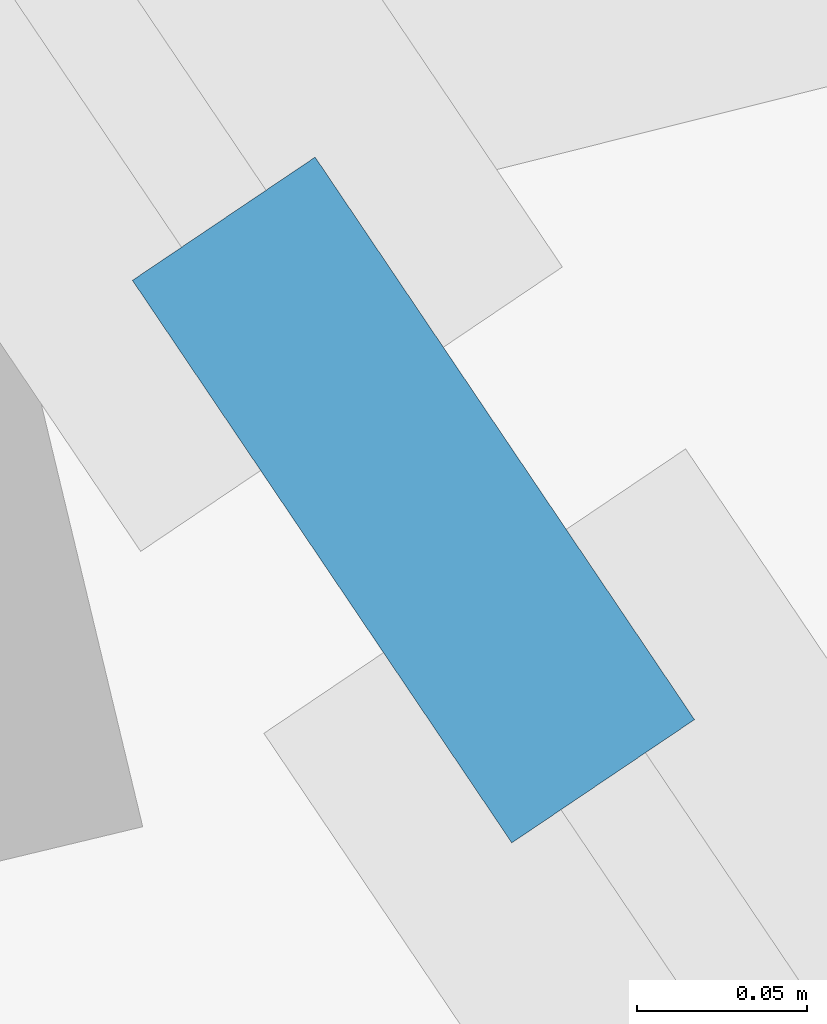
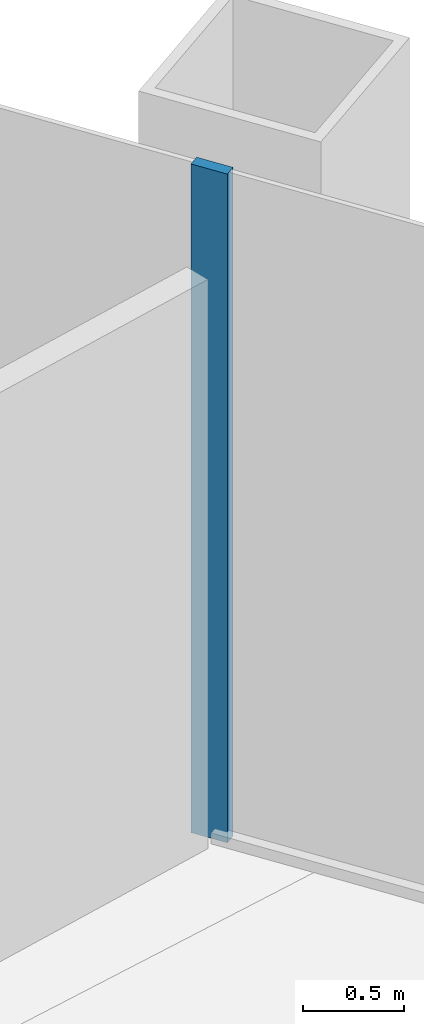
# One storey, part 5 of 13: 1 member, 1 element without a shape of its own.
"""IFC4 building model written with IfcOpenShell, lengths in metres."""

from ifc_helpers import new_model, si_unit, direction, frame, origin, origin_2d, place, context, subcontext, project, spatial, rectangle, extrude, material, material_profile, profile_set, type_object, element, aggregate, save


model = new_model("IFC4")

# Units and contexts
model_context = context("Model", 3, precision=1e-05, world=origin(), true_north=direction((0.0, 1.0)))
body_context = subcontext(model_context, "Body", "Model", "MODEL_VIEW")
ifc_project = project(units=[si_unit("LENGTHUNIT", "METRE"), si_unit("AREAUNIT", "SQUARE_METRE"), si_unit("VOLUMEUNIT", "CUBIC_METRE"), si_unit("PLANEANGLEUNIT", "RADIAN"), si_unit("MASSUNIT", "GRAM", prefix="KILO")], contexts=[model_context])

# Site, building, storey
site_placement = place(None, origin())
site = spatial("IfcSite", under=ifc_project, at=site_placement, CompositionType="ELEMENT")
building_placement = place(site_placement, origin())
building = spatial("IfcBuilding", under=site, at=building_placement, Name="Qingtian Harvest Tower", CompositionType="ELEMENT")
storey_placement = place(building_placement, frame((0.0, 0.0, 230.800048828125)))
storey = spatial("IfcBuildingStorey", under=building, at=storey_placement, Name="L50", CompositionType="ELEMENT", Elevation=230.800048828125)

# Curtain wall, member
ifc_material_1 = material(Name="Bronze-anodised aluminium curtain wall", Category="aluminium")
curtain_wall_type = type_object("IfcCurtainWallType", Name="Curtain wall CW4 office", PredefinedType="USERDEFINED", material=ifc_material_1)
curtain_wall_placement = place(storey_placement, origin())
curtain_wall = element("IfcCurtainWall", 1, at=curtain_wall_placement, inside=storey, type_object=curtain_wall_type, Name="Curtain wall CW4 L50 NE0-5", ObjectType="RECESSED CURTAIN WALL", PredefinedType="USERDEFINED")
ifc_material_2 = material(Name="Bronze-anodised aluminium mullion", Category="aluminium")
ifc_material_profile = material_profile(ifc_material_2, rectangle(XDim=0.06494140625, YDim=0.199951171875, at=origin_2d()), Name="AL 65x200")
ifc_profile_set = profile_set([ifc_material_profile], Name="Bronze-anodised aluminium mullion")
member_type = type_object("IfcMemberType", Name="Mullion CWM 65x200", PredefinedType="MULLION", material=ifc_profile_set)
member_placement = place(storey_placement, frame((23.150390625, 5.55712890625, 0.0), z_axis=(0.0, 0.0, 1.0), x_axis=(0.829037572555, 0.559192903471, 0.0)))
member = element("IfcMember", 2, at=member_placement, type_object=member_type, Name="CW4 mullion 6", PredefinedType="MULLION", context=body_context, shape_type="SweptSolid", body=[
    extrude(rectangle(XDim=0.06494140625, YDim=0.199951171875, at=origin_2d()), origin(), (0.0, 0.0, 1.0), 4.030029296875),
])
aggregate(curtain_wall, [member])

save(model, "model.ifc")
